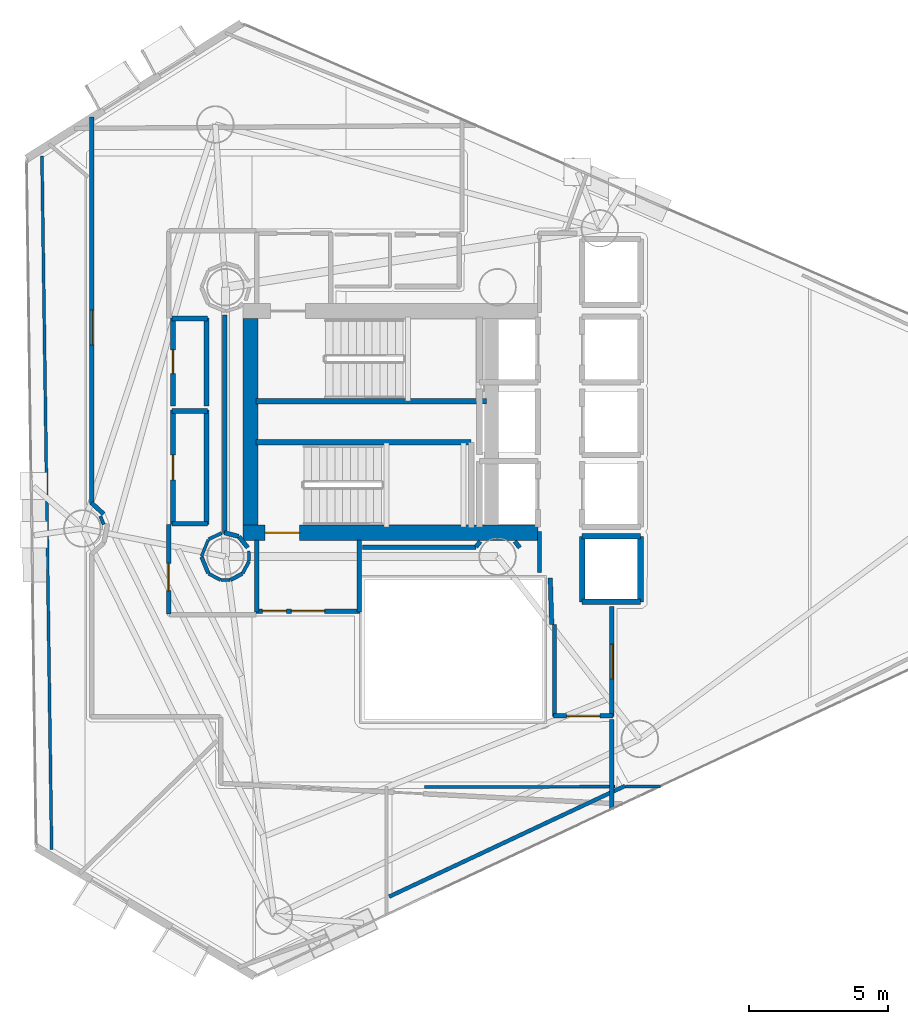
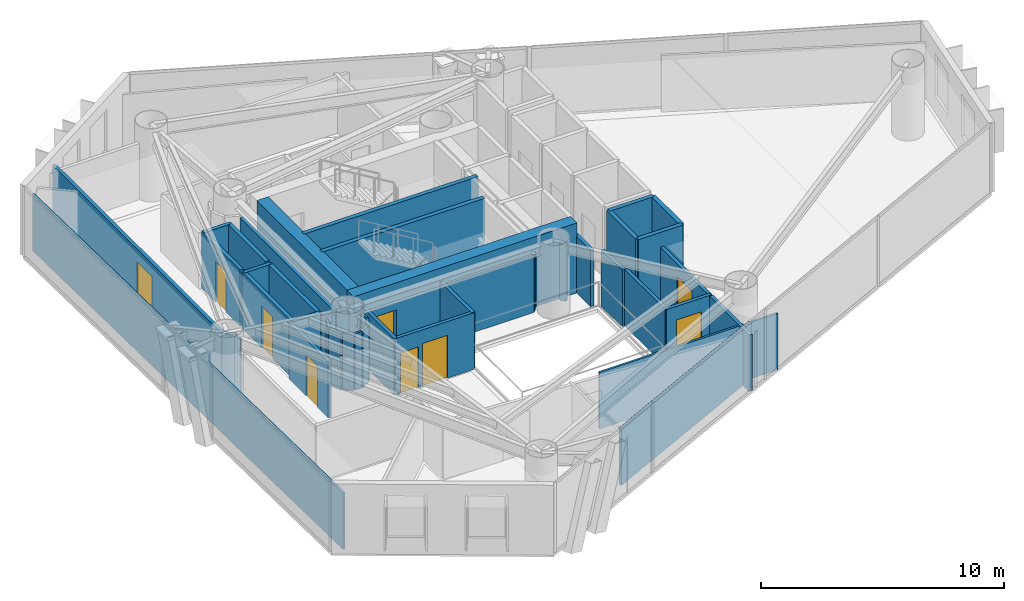
# One storey, part 16 of 20: 46 walls, 9 doors, 9 openings.
"""IFC4 building model written with IfcOpenShell, lengths in metres."""

from ifc_helpers import new_model, si_unit, direction, frame, frame_2d, origin, place, context, subcontext, project, spatial, rectangle, extrude, material, layer, layer_set, type_object, element, fill, save


model = new_model("IFC4")

# Units and contexts
model_context = context("Model", 3, precision=1e-05, world=origin(), true_north=direction((0.0, 1.0)))
body_context = subcontext(model_context, "Body", "Model", "MODEL_VIEW")
ifc_project = project(units=[si_unit("LENGTHUNIT", "METRE"), si_unit("AREAUNIT", "SQUARE_METRE"), si_unit("VOLUMEUNIT", "CUBIC_METRE"), si_unit("PLANEANGLEUNIT", "RADIAN"), si_unit("MASSUNIT", "GRAM", prefix="KILO")], contexts=[model_context])

# Site, building, storey
site_placement = place(None, origin())
site = spatial("IfcSite", under=ifc_project, at=site_placement, CompositionType="ELEMENT")
building_placement = place(site_placement, origin())
building = spatial("IfcBuilding", under=site, at=building_placement, Name="Qianvela Tower", CompositionType="ELEMENT")
storey_placement = place(building_placement, frame((0.0, 0.0, 151.300048828125)))
storey = spatial("IfcBuildingStorey", under=building, at=storey_placement, Name="L38", CompositionType="ELEMENT", Elevation=151.300048828125)

# Wall, opening, door
ifc_material_1 = material(Name="Concrete C60", Category="concrete")
ifc_layer_1 = layer(ifc_material_1, 0.550048828125)
ifc_layer_set_1 = layer_set([ifc_layer_1], Name="Concrete C60")
wall_type_1 = type_object("IfcWallType", Name="WT-CORE-550", PredefinedType="SHEAR", material=ifc_layer_set_1)
wall_1_placement = place(storey_placement, frame((29.22998046875, 24.705078125, 0.0), z_axis=(0.0, 0.0, 1.0), x_axis=(1.0, 0.0, 0.0)))
wall_1 = element("IfcWall", 1, at=wall_1_placement, inside=storey, type_object=wall_type_1, Name="L38 South Core Shear Wall", PredefinedType="SHEAR", context=body_context, shape_type="SweptSolid", body=[
    extrude(rectangle(XDim=10.6201171875, YDim=0.550048828125, at=frame_2d((5.31005859375, 0.0))), origin(), (0.0, 0.0, 1.0), 3.52001953125),
])
opening_1_placement = place(wall_1_placement, frame((0.794921875, 0.0, 0.0)))
opening_1 = element("IfcOpeningElement", 2, at=opening_1_placement, cuts=wall_1, Name="Opening D-ST1", PredefinedType="OPENING", context=body_context, shape_type="SweptSolid", body=[
    extrude(rectangle(XDim=1.25, YDim=2.14990234375, at=frame_2d((0.625, 1.074951171875))), frame((0.0, 0.284912109375, 0.0), z_axis=(0.0, -1.0, 0.0), x_axis=(1.0, 0.0, 0.0)), (0.0, 0.0, 1.0), 0.570068359375),
])
ifc_material_2 = material(Name="Galvanised Fire Steel Q355B", Category="steel")
door_type_1 = type_object("IfcDoorType", Name="DT-STAIR-FD90", OperationType="NOTDEFINED", PredefinedType="DOOR", material=ifc_material_2)
door_1_placement = place(opening_1_placement, origin())
door_1 = element("IfcDoor", 3, at=door_1_placement, inside=storey, type_object=door_type_1, Name="L38 Stair ST-2 Exit Door", OperationType="SINGLE_SWING_RIGHT", OverallHeight=2.14990234375, OverallWidth=1.25, PredefinedType="DOOR", context=body_context, shape_type="SweptSolid", body=[
    extrude(rectangle(XDim=1.25, YDim=2.14990234375, at=frame_2d((0.625, 1.074951171875))), frame((0.0, 0.02490234375, 0.0), z_axis=(0.0, -1.0, 0.0), x_axis=(1.0, 0.0, 0.0)), (0.0, 0.0, 1.0), 0.050048828125),
])
fill(opening_1, door_1)

# Wall
wall_2_placement = place(storey_placement, frame((29.5048828125, 24.97998046875, 0.0), z_axis=(0.0, 0.0, 1.0), x_axis=(0.0, 1.0, 0.0)))
element("IfcWall", 4, at=wall_2_placement, inside=storey, type_object=wall_type_1, Name="L38 West Core Shear Wall", PredefinedType="SHEAR", context=body_context, shape_type="SweptSolid", body=[
    extrude(rectangle(XDim=7.43994140625, YDim=0.550048828125, at=frame_2d((3.719970703125, 0.0))), origin(), (0.0, 0.0, 1.0), 3.52001953125),
])

# Wall, openings, doors
ifc_material_3 = material(Name="Fire-Rated Gypsum and Concrete Block", Category="concrete")
ifc_layer_2 = layer(ifc_material_3, 0.159912109375)
ifc_layer_set_2 = layer_set([ifc_layer_2], Name="Fire-Rated Gypsum and Concrete Block")
wall_type_2 = type_object("IfcWallType", Name="WT-CORR-160", PredefinedType="PARTITIONING", material=ifc_layer_set_2)
wall_3_placement = place(storey_placement, frame((33.449951171875, 21.881103515625, 0.0), z_axis=(0.0, 0.0, 1.0), x_axis=(-1.0, 0.0, 0.0)))
wall_3 = element("IfcWall", 5, at=wall_3_placement, inside=storey, type_object=wall_type_2, Name="L38 Partition 5", PredefinedType="PARTITIONING", context=body_context, shape_type="SweptSolid", body=[
    extrude(rectangle(XDim=3.75, YDim=0.159912109375, at=frame_2d((1.875, 0.0))), origin(), (0.0, 0.0, 1.0), 2.83984375),
])
opening_2_placement = place(wall_3_placement, frame((1.27490234375, 0.0, 0.0)))
opening_2 = element("IfcOpeningElement", 6, at=opening_2_placement, cuts=wall_3, Name="Opening D-LB1", PredefinedType="OPENING", context=body_context, shape_type="SweptSolid", body=[
    extrude(rectangle(XDim=1.199951171875, YDim=2.14990234375, at=frame_2d((0.60009765625, 1.074951171875))), frame((0.0, 0.08984375, 0.0), z_axis=(0.0, -1.0, 0.0), x_axis=(1.0, 0.0, 0.0)), (0.0, 0.0, 1.0), 0.179931640625),
])
opening_3_placement = place(wall_3_placement, frame((2.659912109375, 0.0, 0.0)))
opening_3 = element("IfcOpeningElement", 7, at=opening_3_placement, cuts=wall_3, Name="Opening D-LB2", PredefinedType="OPENING", context=body_context, shape_type="SweptSolid", body=[
    extrude(rectangle(XDim=0.860107421875, YDim=2.050048828125, at=frame_2d((0.43017578125, 1.02490234375))), frame((0.0, 0.08984375, 0.0), z_axis=(0.0, -1.0, 0.0), x_axis=(1.0, 0.0, 0.0)), (0.0, 0.0, 1.0), 0.179931640625),
])
ifc_material_4 = material(Name="Glazed Fire-Rated Steel Frame", Category="steel")
door_type_2 = type_object("IfcDoorType", Name="DT-LOBBY-FD90", OperationType="NOTDEFINED", PredefinedType="DOOR", material=ifc_material_4)
door_2_placement = place(opening_2_placement, origin())
door_2 = element("IfcDoor", 8, at=door_2_placement, inside=storey, type_object=door_type_2, Name="L38 Door L38 Firefighting Lobby South to L38 Floor Corridor", OperationType="SINGLE_SWING_LEFT", OverallHeight=2.14990234375, OverallWidth=1.199951171875, PredefinedType="DOOR", context=body_context, shape_type="SweptSolid", body=[
    extrude(rectangle(XDim=1.199951171875, YDim=2.14990234375, at=frame_2d((0.60009765625, 1.074951171875))), frame((0.0, 0.02490234375, 0.0), z_axis=(0.0, -1.0, 0.0), x_axis=(1.0, 0.0, 0.0)), (0.0, 0.0, 1.0), 0.050048828125),
])
fill(opening_2, door_2)
ifc_material_5 = material(Name="Insulated Steel Fire Door Q355B", Category="steel")
door_type_3 = type_object("IfcDoorType", Name="DT-LOBBY-FD90-860", OperationType="NOTDEFINED", PredefinedType="DOOR", material=ifc_material_5)
door_3_placement = place(opening_3_placement, origin())
door_3 = element("IfcDoor", 9, at=door_3_placement, inside=storey, type_object=door_type_3, Name="L38 Door L38 Firefighting Lobby South to L38 Floor Corridor", OperationType="SINGLE_SWING_RIGHT", OverallHeight=2.050048828125, OverallWidth=0.860107421875, PredefinedType="DOOR", context=body_context, shape_type="SweptSolid", body=[
    extrude(rectangle(XDim=0.860107421875, YDim=2.050048828125, at=frame_2d((0.43017578125, 1.02490234375))), frame((0.0, 0.02490234375, 0.0), z_axis=(0.0, -1.0, 0.0), x_axis=(1.0, 0.0, 0.0)), (0.0, 0.0, 1.0), 0.050048828125),
])
fill(opening_3, door_3)

# Walls
for number, where, z_axis, x_axis, name in (
    (10, (29.73095703125, 21.85009765625, 0.0), (0.0, 0.0, 1.0), (0.0, 1.0, 0.0), "L38 Partition 6"),
    (11, (33.4189453125, 24.44189453125, 0.0), (0.0, 0.0, 1.0), (0.0, -1.0, 0.0), "L38 Partition 8"),
):
    element("IfcWall", number, at=place(storey_placement, frame(where, z_axis=z_axis, x_axis=x_axis)), inside=storey, type_object=wall_type_2, Name=name, PredefinedType="PARTITIONING", context=body_context, shape_type="SweptSolid", body=[
        extrude(rectangle(XDim=2.591796875, YDim=0.159912109375, at=frame_2d((1.2958984375, 0.0))), origin(), (0.0, 0.0, 1.0), 2.83984375),
    ])
wall_4_placement = place(storey_placement, frame((40.35107421875, 21.40087890625, 0.0), z_axis=(0.0, 0.0, 1.0), x_axis=(-0.031058045979, 0.999517582527, 0.0)))
element("IfcWall", 12, at=wall_4_placement, inside=storey, type_object=wall_type_2, Name="L38 Partition 9", PredefinedType="PARTITIONING", context=body_context, shape_type="SweptSolid", body=[
    extrude(rectangle(XDim=1.68212890625, YDim=0.159912109375, at=frame_2d((0.841064453125, 0.0))), origin(), (0.0, 0.0, 1.0), 2.83984375),
])
wall_5_placement = place(storey_placement, frame((39.910888671875, 23.280029296875, 0.0), z_axis=(0.0, 0.0, 1.0), x_axis=(0.0, 1.0, 0.0)))
element("IfcWall", 13, at=wall_5_placement, inside=storey, type_object=wall_type_2, Name="L38 Partition 10", PredefinedType="PARTITIONING", context=body_context, shape_type="SweptSolid", body=[
    extrude(rectangle(XDim=1.47998046875, YDim=0.159912109375, at=frame_2d((0.739990234375, 0.0))), origin(), (0.0, 0.0, 1.0), 2.83984375),
])

# Wall, opening, door
wall_6_placement = place(storey_placement, frame((42.51904296875, 22.050048828125, 0.0), z_axis=(0.0, 0.0, 1.0), x_axis=(0.0, -1.0, 0.0)))
wall_6 = element("IfcWall", 14, at=wall_6_placement, inside=storey, type_object=wall_type_2, Name="L38 Partition 17", PredefinedType="PARTITIONING", context=body_context, shape_type="SweptSolid", body=[
    extrude(rectangle(XDim=3.969970703125, YDim=0.159912109375, at=frame_2d((1.98486328125, 0.0))), origin(), (0.0, 0.0, 1.0), 2.83984375),
])
opening_4_placement = place(wall_6_placement, frame((1.360107421875, 0.0, 0.0)))
opening_4 = element("IfcOpeningElement", 15, at=opening_4_placement, cuts=wall_6, Name="Opening D-LG1", PredefinedType="OPENING", context=body_context, shape_type="SweptSolid", body=[
    extrude(rectangle(XDim=1.25, YDim=2.199951171875, at=frame_2d((0.625, 1.10009765625))), frame((0.0, 0.08984375, 0.0), z_axis=(0.0, -1.0, 0.0), x_axis=(1.0, 0.0, 0.0)), (0.0, 0.0, 1.0), 0.179931640625),
])
ifc_material_6 = material(Name="Anodised Aluminium Acoustic Glass Door", Category="aluminium")
door_type_4 = type_object("IfcDoorType", Name="DT-LOUNGE-1250", OperationType="NOTDEFINED", PredefinedType="DOOR", material=ifc_material_6)
door_4_placement = place(opening_4_placement, origin())
door_4 = element("IfcDoor", 16, at=door_4_placement, inside=storey, type_object=door_type_4, Name="L38 Door Student Bookshop Market L38-04 to L38 Lift Lobby", OperationType="SINGLE_SWING_LEFT", OverallHeight=2.199951171875, OverallWidth=1.25, PredefinedType="DOOR", context=body_context, shape_type="SweptSolid", body=[
    extrude(rectangle(XDim=1.25, YDim=2.199951171875, at=frame_2d((0.625, 1.10009765625))), frame((0.0, 0.02490234375, 0.0), z_axis=(0.0, -1.0, 0.0), x_axis=(1.0, 0.0, 0.0)), (0.0, 0.0, 1.0), 0.050048828125),
])
fill(opening_4, door_4)

wall_7_placement = place(storey_placement, frame((42.550048828125, 18.111083984375, 0.0), z_axis=(0.0, 0.0, 1.0), x_axis=(-1.0, 0.0, 0.0)))
wall_7 = element("IfcWall", 17, at=wall_7_placement, inside=storey, type_object=wall_type_2, Name="L38 Partition 18", PredefinedType="PARTITIONING", context=body_context, shape_type="SweptSolid", body=[
    extrude(rectangle(XDim=2.130126953125, YDim=0.159912109375, at=frame_2d((1.06494140625, 0.0))), origin(), (0.0, 0.0, 1.0), 2.83984375),
])
opening_5_placement = place(wall_7_placement, frame((0.465087890625, 0.0, 0.0)))
opening_5 = element("IfcOpeningElement", 18, at=opening_5_placement, cuts=wall_7, Name="Opening D-LB1", PredefinedType="OPENING", context=body_context, shape_type="SweptSolid", body=[
    extrude(rectangle(XDim=1.199951171875, YDim=2.14990234375, at=frame_2d((0.60009765625, 1.074951171875))), frame((0.0, 0.08984375, 0.0), z_axis=(0.0, -1.0, 0.0), x_axis=(1.0, 0.0, 0.0)), (0.0, 0.0, 1.0), 0.179931640625),
])
door_5_placement = place(opening_5_placement, origin())
door_5 = element("IfcDoor", 19, at=door_5_placement, inside=storey, type_object=door_type_2, Name="L38 Door L38 Lift Lobby to L38 Floor Corridor", OperationType="SINGLE_SWING_RIGHT", OverallHeight=2.14990234375, OverallWidth=1.199951171875, PredefinedType="DOOR", context=body_context, shape_type="SweptSolid", body=[
    extrude(rectangle(XDim=1.199951171875, YDim=2.14990234375, at=frame_2d((0.60009765625, 1.074951171875))), frame((0.0, 0.02490234375, 0.0), z_axis=(0.0, -1.0, 0.0), x_axis=(1.0, 0.0, 0.0)), (0.0, 0.0, 1.0), 0.050048828125),
])
fill(opening_5, door_5)

# Walls
wall_8_placement = place(storey_placement, frame((40.450927734375, 18.080078125, 0.0), z_axis=(0.0, 0.0, 1.0), x_axis=(0.0, 1.0, 0.0)))
element("IfcWall", 20, at=wall_8_placement, inside=storey, type_object=wall_type_2, Name="L38 Partition 19 seg 1", PredefinedType="PARTITIONING", context=body_context, shape_type="SweptSolid", body=[
    extrude(rectangle(XDim=3.31982421875, YDim=0.159912109375, at=frame_2d((1.659912109375, 0.0))), origin(), (0.0, 0.0, 1.0), 2.83984375),
])
wall_9_placement = place(storey_placement, frame((29.401611328125, 24.169189453125, 0.0), z_axis=(0.0, 0.0, 1.0), x_axis=(-0.622091855036, 0.782944266151, 0.0)))
element("IfcWall", 21, at=wall_9_placement, inside=storey, type_object=wall_type_2, Name="L38 Partition 40", PredefinedType="PARTITIONING", context=body_context, shape_type="SweptSolid", body=[
    extrude(rectangle(XDim=0.50390625, YDim=0.159912109375, at=frame_2d((0.251953125, 0.0))), origin(), (0.0, 0.0, 1.0), 2.83984375),
])
wall_10_placement = place(storey_placement, frame((29.07177734375, 24.57421875, 0.0), z_axis=(0.0, 0.0, 1.0), x_axis=(-0.966842101769, 0.255374920942, 0.0)))
element("IfcWall", 22, at=wall_10_placement, inside=storey, type_object=wall_type_2, Name="L38 Partition 41", PredefinedType="PARTITIONING", context=body_context, shape_type="SweptSolid", body=[
    extrude(rectangle(XDim=0.531494140625, YDim=0.159912109375, at=frame_2d((0.265625, 0.0))), origin(), (0.0, 0.0, 1.0), 2.83984375),
])
wall_11_placement = place(storey_placement, frame((28.5810546875, 24.68017578125, 0.0), z_axis=(0.0, 0.0, 1.0), x_axis=(0.0, 1.0, 0.0)))
element("IfcWall", 23, at=wall_11_placement, inside=storey, type_object=wall_type_2, Name="L38 Partition 42", PredefinedType="PARTITIONING", context=body_context, shape_type="SweptSolid", body=[
    extrude(rectangle(XDim=7.869873046875, YDim=0.159912109375, at=frame_2d((3.93505859375, 0.0))), origin(), (0.0, 0.0, 1.0), 2.83984375),
])
wall_12_placement = place(storey_placement, frame((39.20166015625, 24.169189453125, 0.0), z_axis=(0.0, 0.0, 1.0), x_axis=(-0.621699046284, 0.783256213413, 0.0)))
element("IfcWall", 24, at=wall_12_placement, inside=storey, type_object=wall_type_2, Name="L38 Partition 47", PredefinedType="PARTITIONING", context=body_context, shape_type="SweptSolid", body=[
    extrude(rectangle(XDim=0.28857421875, YDim=0.159912109375, at=frame_2d((0.144287109375, 0.0))), origin(), (0.0, 0.0, 1.0), 2.83984375),
])
wall_13_placement = place(storey_placement, frame((37.77783203125, 24.395263671875, 0.0), z_axis=(0.0, 0.0, 1.0), x_axis=(-0.621829236437, -0.783152859097, 0.0)))
element("IfcWall", 25, at=wall_13_placement, inside=storey, type_object=wall_type_2, Name="L38 Partition 50", PredefinedType="PARTITIONING", context=body_context, shape_type="SweptSolid", body=[
    extrude(rectangle(XDim=0.249755859375, YDim=0.159912109375, at=frame_2d((0.125, 0.0))), origin(), (0.0, 0.0, 1.0), 2.83984375),
])
wall_14_placement = place(storey_placement, frame((37.62255859375, 24.180908203125, 0.0), z_axis=(0.0, 0.0, 1.0), x_axis=(-1.0, 0.0, 0.0)))
element("IfcWall", 26, at=wall_14_placement, inside=storey, type_object=wall_type_2, Name="L38 Partition 51", PredefinedType="PARTITIONING", context=body_context, shape_type="SweptSolid", body=[
    extrude(rectangle(XDim=4.092529296875, YDim=0.159912109375, at=frame_2d((2.04638671875, 0.0))), origin(), (0.0, 0.0, 1.0), 2.83984375),
])
wall_15_placement = place(storey_placement, frame((24.211181640625, 25.37890625, 0.0), z_axis=(0.0, 0.0, 1.0), x_axis=(-0.735475561179, 0.677551251868, 0.0)))
element("IfcWall", 27, at=wall_15_placement, inside=storey, type_object=wall_type_2, Name="L38 Partition 52", PredefinedType="PARTITIONING", context=body_context, shape_type="SweptSolid", body=[
    extrude(rectangle(XDim=0.598388671875, YDim=0.159912109375, at=frame_2d((0.29931640625, 0.0))), origin(), (0.0, 0.0, 1.0), 2.83984375),
])

# Wall, opening, door
wall_16_placement = place(storey_placement, frame((23.781005859375, 25.76171875, 0.0), z_axis=(0.0, 0.0, 1.0), x_axis=(0.0, 1.0, 0.0)))
wall_16 = element("IfcWall", 28, at=wall_16_placement, inside=storey, type_object=wall_type_2, Name="L38 Partition 53", PredefinedType="PARTITIONING", context=body_context, shape_type="SweptSolid", body=[
    extrude(rectangle(XDim=13.920166015625, YDim=0.159912109375, at=frame_2d((6.9599609375, 0.0))), origin(), (0.0, 0.0, 1.0), 2.83984375),
])
opening_6_placement = place(wall_16_placement, frame((5.712158203125, 0.0, 0.0)))
opening_6 = element("IfcOpeningElement", 29, at=opening_6_placement, cuts=wall_16, Name="Opening D-LG1", PredefinedType="OPENING", context=body_context, shape_type="SweptSolid", body=[
    extrude(rectangle(XDim=1.25, YDim=2.199951171875, at=frame_2d((0.625, 1.10009765625))), frame((0.0, 0.08984375, 0.0), z_axis=(0.0, -1.0, 0.0), x_axis=(1.0, 0.0, 0.0)), (0.0, 0.0, 1.0), 0.179931640625),
])
door_6_placement = place(opening_6_placement, origin())
door_6 = element("IfcDoor", 30, at=door_6_placement, inside=storey, type_object=door_type_4, Name="L38 Door Panoramic Study Lounge L38-01 to L38 Floor Corridor", OperationType="SINGLE_SWING_LEFT", OverallHeight=2.199951171875, OverallWidth=1.25, PredefinedType="DOOR", context=body_context, shape_type="SweptSolid", body=[
    extrude(rectangle(XDim=1.25, YDim=2.199951171875, at=frame_2d((0.625, 1.10009765625))), frame((0.0, 0.02490234375, 0.0), z_axis=(0.0, -1.0, 0.0), x_axis=(1.0, 0.0, 0.0)), (0.0, 0.0, 1.0), 0.050048828125),
])
fill(opening_6, door_6)

wall_17_placement = place(storey_placement, frame((26.549072265625, 25.0, 0.0), z_axis=(0.0, 0.0, 1.0), x_axis=(0.0, -1.0, 0.0)))
wall_17 = element("IfcWall", 31, at=wall_17_placement, inside=storey, type_object=wall_type_2, Name="L38 Partition 57 seg 3", PredefinedType="PARTITIONING", context=body_context, shape_type="SweptSolid", body=[
    extrude(rectangle(XDim=3.219970703125, YDim=0.159912109375, at=frame_2d((1.60986328125, 0.0))), origin(), (0.0, 0.0, 1.0), 2.83984375),
])
opening_7_placement = place(wall_17_placement, frame((1.39990234375, 0.0, 0.0)))
opening_7 = element("IfcOpeningElement", 32, at=opening_7_placement, cuts=wall_17, Name="Opening D-RM1", PredefinedType="OPENING", context=body_context, shape_type="SweptSolid", body=[
    extrude(rectangle(XDim=0.97998046875, YDim=2.10009765625, at=frame_2d((0.489990234375, 1.050048828125))), frame((0.0, 0.08984375, 0.0), z_axis=(0.0, -1.0, 0.0), x_axis=(1.0, 0.0, 0.0)), (0.0, 0.0, 1.0), 0.179931640625),
])
ifc_material_7 = material(Name="Solid Core Acoustic Timber Fire Door", Category="wood")
door_type_5 = type_object("IfcDoorType", Name="DT-ROOM-FD60", OperationType="NOTDEFINED", PredefinedType="DOOR", material=ifc_material_7)
door_7_placement = place(opening_7_placement, origin())
door_7 = element("IfcDoor", 33, at=door_7_placement, inside=storey, type_object=door_type_5, Name="L38 Door Campus Wellness Pharmacy L38-06 to L38 Floor Corridor", OperationType="SINGLE_SWING_LEFT", OverallHeight=2.10009765625, OverallWidth=0.97998046875, PredefinedType="DOOR", context=body_context, shape_type="SweptSolid", body=[
    extrude(rectangle(XDim=0.97998046875, YDim=2.10009765625, at=frame_2d((0.489990234375, 1.050048828125))), frame((0.0, 0.02490234375, 0.0), z_axis=(0.0, -1.0, 0.0), x_axis=(1.0, 0.0, 0.0)), (0.0, 0.0, 1.0), 0.050048828125),
])
fill(opening_7, door_7)

# Walls
wall_18_placement = place(storey_placement, frame((42.51904296875, 17.97998046875, 0.0), z_axis=(0.0, 0.0, 1.0), x_axis=(0.0, -1.0, 0.0)))
element("IfcWall", 34, at=wall_18_placement, inside=storey, type_object=wall_type_2, Name="L38 Partition 60 seg 1", PredefinedType="PARTITIONING", context=body_context, shape_type="SweptSolid", body=[
    extrude(rectangle(XDim=3.24267578125, YDim=0.159912109375, at=frame_2d((1.621337890625, 0.0))), origin(), (0.0, 0.0, 1.0), 2.83984375),
])
ifc_material_8 = material(Name="Lightweight Gypsum Room Partition")
ifc_layer_3 = layer(ifc_material_8, 0.10498046875)
ifc_layer_set_3 = layer_set([ifc_layer_3], Name="Lightweight Gypsum Room Partition")
wall_type_3 = type_object("IfcWallType", Name="WT-PART-105", PredefinedType="PARTITIONING", material=ifc_layer_set_3)
wall_19_placement = place(storey_placement, frame((22.337646484375, 13.293212890625, 0.0), z_axis=(0.0, 0.0, 1.0), x_axis=(-0.013961898695, 0.999902527942, 0.0)))
element("IfcWall", 35, at=wall_19_placement, inside=storey, type_object=wall_type_3, Name="L38 Partition 77", PredefinedType="PARTITIONING", context=body_context, shape_type="SweptSolid", body=[
    extrude(rectangle(XDim=24.98779296875, YDim=0.10498046875, at=frame_2d((12.493896484375, 0.0))), origin(), (0.0, 0.0, 1.0), 2.83984375),
])
wall_20_placement = place(storey_placement, frame((35.76806640625, 15.542724609375, 0.0), z_axis=(0.0, 0.0, 1.0), x_axis=(0.999995856362, 0.002878759795, 0.0)))
element("IfcWall", 36, at=wall_20_placement, inside=storey, type_object=wall_type_3, Name="L38 Partition 86 seg 1", PredefinedType="PARTITIONING", context=body_context, shape_type="SweptSolid", body=[
    extrude(rectangle(XDim=6.869384765625, YDim=0.10498046875, at=frame_2d((3.4345703125, 0.0))), origin(), (0.0, 0.0, 1.0), 2.83984375),
])
wall_21_placement = place(storey_placement, frame((27.98095703125, 24.452392578125, 0.0), z_axis=(0.0, 0.0, 1.0), x_axis=(-0.38268910224, -0.923877183952, 0.0)))
element("IfcWall", 37, at=wall_21_placement, inside=storey, type_object=wall_type_3, Name="L38 Partition 131", PredefinedType="PARTITIONING", context=body_context, shape_type="SweptSolid", body=[
    extrude(rectangle(XDim=0.63916015625, YDim=0.10498046875, at=frame_2d((0.319580078125, 0.0))), origin(), (0.0, 0.0, 1.0), 2.83984375),
])
wall_22_placement = place(storey_placement, frame((28.43701171875, 23.0, 0.0), z_axis=(0.0, 0.0, 1.0), x_axis=(1.0, 0.0, 0.0)))
element("IfcWall", 38, at=wall_22_placement, inside=storey, type_object=wall_type_3, Name="L38 Partition 134", PredefinedType="PARTITIONING", context=body_context, shape_type="SweptSolid", body=[
    extrude(rectangle(XDim=0.325927734375, YDim=0.10498046875, at=frame_2d((0.1630859375, 0.0))), origin(), (0.0, 0.0, 1.0), 2.83984375),
])
wall_23_placement = place(storey_placement, frame((29.449951171875, 23.68798828125, 0.0), z_axis=(0.0, 0.0, 1.0), x_axis=(-0.030919976938, 0.999521863206, 0.0)))
element("IfcWall", 39, at=wall_23_placement, inside=storey, type_object=wall_type_3, Name="L38 Partition 137", PredefinedType="PARTITIONING", context=body_context, shape_type="SweptSolid", body=[
    extrude(rectangle(XDim=0.36328125, YDim=0.10498046875, at=frame_2d((0.181640625, 0.0))), origin(), (0.0, 0.0, 1.0), 2.83984375),
])
wall_24_placement = place(storey_placement, frame((43.001708984375, 15.5634765625, 0.0), z_axis=(0.0, 0.0, 1.0), x_axis=(0.99999578947, 0.002901903045, 0.0)))
element("IfcWall", 40, at=wall_24_placement, inside=storey, type_object=wall_type_3, Name="L38 Partition 86 seg 1 trim 1", PredefinedType="PARTITIONING", context=body_context, shape_type="SweptSolid", body=[
    extrude(rectangle(XDim=1.261962890625, YDim=0.10498046875, at=frame_2d((0.630859375, 0.0))), origin(), (0.0, 0.0, 1.0), 2.83984375),
])
ifc_material_9 = material(Name="Insulated Gypsum Stud Partition")
ifc_layer_4 = layer(ifc_material_9, 0.1201171875)
ifc_layer_set_4 = layer_set([ifc_layer_4], Name="Insulated Gypsum Stud Partition")
wall_type_4 = type_object("IfcWallType", Name="WT-PART-120", PredefinedType="PARTITIONING", material=ifc_layer_set_4)
wall_25_placement = place(storey_placement, frame((24.09228515625, 25.302734375, 0.0), z_axis=(0.0, 0.0, 1.0), x_axis=(0.38223992348, -0.924063115213, 0.0)))
element("IfcWall", 41, at=wall_25_placement, inside=storey, type_object=wall_type_4, Name="L38 Partition 70", PredefinedType="PARTITIONING", context=body_context, shape_type="SweptSolid", body=[
    extrude(rectangle(XDim=0.3212890625, YDim=0.1201171875, at=frame_2d((0.16064453125, 0.0))), origin(), (0.0, 0.0, 1.0), 2.83984375),
])
wall_26_placement = place(storey_placement, frame((28.46630859375, 24.700927734375, 0.0), z_axis=(0.0, 0.0, 1.0), x_axis=(-0.896372347763, -0.44330194469, 0.0)))
element("IfcWall", 42, at=wall_26_placement, inside=storey, type_object=wall_type_4, Name="L38 Partition 130", PredefinedType="PARTITIONING", context=body_context, shape_type="SweptSolid", body=[
    extrude(rectangle(XDim=0.52490234375, YDim=0.1201171875, at=frame_2d((0.262451171875, 0.0))), origin(), (0.0, 0.0, 1.0), 2.83984375),
])
for number, where, z_axis, x_axis, name in (
    (43, (27.9951171875, 23.232177734375, 0.0), (0.0, 0.0, 1.0), (0.88190639713, -0.471424550379, 0.0), "L38 Partition 133"),
    (44, (29.2177734375, 23.2451171875, 0.0), (0.0, 0.0, 1.0), (0.471424550379, 0.88190639713, 0.0), "L38 Partition 136"),
):
    element("IfcWall", number, at=place(storey_placement, frame(where, z_axis=z_axis, x_axis=x_axis)), inside=storey, type_object=wall_type_4, Name=name, PredefinedType="PARTITIONING", context=body_context, shape_type="SweptSolid", body=[
        extrude(rectangle(XDim=0.484619140625, YDim=0.1201171875, at=frame_2d((0.2421875, 0.0))), origin(), (0.0, 0.0, 1.0), 2.83984375),
    ])

# Wall, opening, door
ifc_material_10 = material(Name="Moisture-Resistant Acoustic Plumbing Wall")
ifc_layer_5 = layer(ifc_material_10, 0.175048828125)
ifc_layer_set_5 = layer_set([ifc_layer_5], Name="Moisture-Resistant Acoustic Plumbing Wall")
wall_type_5 = type_object("IfcWallType", Name="WT-PLUMB-175", PredefinedType="PLUMBINGWALL", material=ifc_layer_set_5)
wall_27_placement = place(storey_placement, frame((26.7109375, 25.0, 0.0), z_axis=(0.0, 0.0, 1.0), x_axis=(0.0, 1.0, 0.0)))
wall_27 = element("IfcWall", 45, at=wall_27_placement, inside=storey, type_object=wall_type_5, Name="L38 Partition 28", PredefinedType="PLUMBINGWALL", context=body_context, shape_type="SweptSolid", body=[
    extrude(rectangle(XDim=4.1201171875, YDim=0.175048828125, at=frame_2d((2.06005859375, 0.0))), origin(), (0.0, 0.0, 1.0), 2.83984375),
])
opening_8_placement = place(wall_27_placement, frame((1.610107421875, 0.0, 0.0)))
opening_8 = element("IfcOpeningElement", 46, at=opening_8_placement, cuts=wall_27, Name="Opening D-KT1", PredefinedType="OPENING", context=body_context, shape_type="SweptSolid", body=[
    extrude(rectangle(XDim=0.89990234375, YDim=2.10009765625, at=frame_2d((0.449951171875, 1.050048828125))), frame((0.0, 0.097412109375, 0.0), z_axis=(0.0, -1.0, 0.0), x_axis=(1.0, 0.0, 0.0)), (0.0, 0.0, 1.0), 0.195068359375),
])
ifc_material_11 = material(Name="Glazed Timber Kitchen Door", Category="wood")
door_type_6 = type_object("IfcDoorType", Name="DT-KITCH-900", OperationType="NOTDEFINED", PredefinedType="DOOR", material=ifc_material_11)
door_8_placement = place(opening_8_placement, origin())
door_8 = element("IfcDoor", 47, at=door_8_placement, inside=storey, type_object=door_type_6, Name="L38 Door L38 Core Tea Pantry West to L38 Floor Corridor", OperationType="SINGLE_SWING_LEFT", OverallHeight=2.10009765625, OverallWidth=0.89990234375, PredefinedType="DOOR", context=body_context, shape_type="SweptSolid", body=[
    extrude(rectangle(XDim=0.89990234375, YDim=2.10009765625, at=frame_2d((0.449951171875, 1.050048828125))), frame((0.0, 0.02490234375, 0.0), z_axis=(0.0, -1.0, 0.0), x_axis=(1.0, 0.0, 0.0)), (0.0, 0.0, 1.0), 0.050048828125),
])
fill(opening_8, door_8)

# Walls
wall_28_placement = place(storey_placement, frame((26.679931640625, 29.089111328125, 0.0), z_axis=(0.0, 0.0, 1.0), x_axis=(1.0, 0.0, 0.0)))
element("IfcWall", 48, at=wall_28_placement, inside=storey, type_object=wall_type_5, Name="L38 Partition 29", PredefinedType="PLUMBINGWALL", context=body_context, shape_type="SweptSolid", body=[
    extrude(rectangle(XDim=1.27001953125, YDim=0.175048828125, at=frame_2d((0.635009765625, 0.0))), origin(), (0.0, 0.0, 1.0), 2.83984375),
])
wall_29_placement = place(storey_placement, frame((27.9189453125, 29.1201171875, 0.0), z_axis=(0.0, 0.0, 1.0), x_axis=(0.0, -1.0, 0.0)))
element("IfcWall", 49, at=wall_29_placement, inside=storey, type_object=wall_type_5, Name="L38 Partition 30", PredefinedType="PLUMBINGWALL", context=body_context, shape_type="SweptSolid", body=[
    extrude(rectangle(XDim=4.1201171875, YDim=0.175048828125, at=frame_2d((2.06005859375, 0.0))), origin(), (0.0, 0.0, 1.0), 2.83984375),
])
wall_30_placement = place(storey_placement, frame((27.949951171875, 25.031005859375, 0.0), z_axis=(0.0, 0.0, 1.0), x_axis=(-1.0, 0.0, 0.0)))
element("IfcWall", 50, at=wall_30_placement, inside=storey, type_object=wall_type_5, Name="L38 Partition 31", PredefinedType="PLUMBINGWALL", context=body_context, shape_type="SweptSolid", body=[
    extrude(rectangle(XDim=1.27001953125, YDim=0.175048828125, at=frame_2d((0.635009765625, 0.0))), origin(), (0.0, 0.0, 1.0), 2.83984375),
])

# Wall, opening, door
wall_31_placement = place(storey_placement, frame((26.7109375, 29.280029296875, 0.0), z_axis=(0.0, 0.0, 1.0), x_axis=(0.0, 1.0, 0.0)))
wall_31 = element("IfcWall", 51, at=wall_31_placement, inside=storey, type_object=wall_type_5, Name="L38 Partition 32", PredefinedType="PLUMBINGWALL", context=body_context, shape_type="SweptSolid", body=[
    extrude(rectangle(XDim=3.169921875, YDim=0.175048828125, at=frame_2d((1.5849609375, 0.0))), origin(), (0.0, 0.0, 1.0), 2.83984375),
])
opening_9_placement = place(wall_31_placement, frame((1.155029296875, 0.0, 0.0)))
opening_9 = element("IfcOpeningElement", 52, at=opening_9_placement, cuts=wall_31, Name="Opening D-WC1", PredefinedType="OPENING", context=body_context, shape_type="SweptSolid", body=[
    extrude(rectangle(XDim=0.860107421875, YDim=2.050048828125, at=frame_2d((0.43017578125, 1.02490234375))), frame((0.0, 0.097412109375, 0.0), z_axis=(0.0, -1.0, 0.0), x_axis=(1.0, 0.0, 0.0)), (0.0, 0.0, 1.0), 0.195068359375),
])
ifc_material_12 = material(Name="Moisture-Sealed Acoustic Timber Door", Category="wood")
door_type_7 = type_object("IfcDoorType", Name="DT-WC-860", OperationType="NOTDEFINED", PredefinedType="DOOR", material=ifc_material_12)
door_9_placement = place(opening_9_placement, origin())
door_9 = element("IfcDoor", 53, at=door_9_placement, inside=storey, type_object=door_type_7, Name="L38 Door L38 Accessible WC to L38 Floor Corridor", OperationType="SINGLE_SWING_RIGHT", OverallHeight=2.050048828125, OverallWidth=0.860107421875, PredefinedType="DOOR", context=body_context, shape_type="SweptSolid", body=[
    extrude(rectangle(XDim=0.860107421875, YDim=2.050048828125, at=frame_2d((0.43017578125, 1.02490234375))), frame((0.0, 0.02490234375, 0.0), z_axis=(0.0, -1.0, 0.0), x_axis=(1.0, 0.0, 0.0)), (0.0, 0.0, 1.0), 0.050048828125),
])
fill(opening_9, door_9)

# Walls
wall_32_placement = place(storey_placement, frame((26.679931640625, 32.4189453125, 0.0), z_axis=(0.0, 0.0, 1.0), x_axis=(1.0, 0.0, 0.0)))
element("IfcWall", 54, at=wall_32_placement, inside=storey, type_object=wall_type_5, Name="L38 Partition 33", PredefinedType="PLUMBINGWALL", context=body_context, shape_type="SweptSolid", body=[
    extrude(rectangle(XDim=1.27001953125, YDim=0.175048828125, at=frame_2d((0.635009765625, 0.0))), origin(), (0.0, 0.0, 1.0), 2.83984375),
])
wall_33_placement = place(storey_placement, frame((27.9189453125, 32.449951171875, 0.0), z_axis=(0.0, 0.0, 1.0), x_axis=(0.0, -1.0, 0.0)))
element("IfcWall", 55, at=wall_33_placement, inside=storey, type_object=wall_type_5, Name="L38 Partition 34", PredefinedType="PLUMBINGWALL", context=body_context, shape_type="SweptSolid", body=[
    extrude(rectangle(XDim=3.169921875, YDim=0.175048828125, at=frame_2d((1.5849609375, 0.0))), origin(), (0.0, 0.0, 1.0), 2.83984375),
])
ifc_material_13 = material(Name="Acoustic Double Gypsum Stud Partition")
ifc_layer_6 = layer(ifc_material_13, 0.139892578125)
ifc_layer_set_6 = layer_set([ifc_layer_6], Name="Acoustic Double Gypsum Stud Partition")
wall_type_6 = type_object("IfcWallType", Name="WT-ROOM-140", PredefinedType="PARTITIONING", material=ifc_layer_set_6)
wall_34_placement = place(storey_placement, frame((42.990478515625, 15.58740234375, 0.0), z_axis=(0.0, 0.0, 1.0), x_axis=(-0.905178107645, -0.42503246163, 0.0)))
element("IfcWall", 56, at=wall_34_placement, inside=storey, type_object=wall_type_6, Name="L38 Partition 84", PredefinedType="PARTITIONING", context=body_context, shape_type="SweptSolid", body=[
    extrude(rectangle(XDim=9.38232421875, YDim=0.139892578125, at=frame_2d((4.691162109375, 0.0))), origin(), (0.0, 0.0, 1.0), 2.83984375),
])
wall_35_placement = place(storey_placement, frame((27.736328125, 23.838134765625, 0.0), z_axis=(0.0, 0.0, 1.0), x_axis=(0.382824178437, -0.923821221018, 0.0)))
element("IfcWall", 57, at=wall_35_placement, inside=storey, type_object=wall_type_6, Name="L38 Partition 132", PredefinedType="PARTITIONING", context=body_context, shape_type="SweptSolid", body=[
    extrude(rectangle(XDim=0.638916015625, YDim=0.139892578125, at=frame_2d((0.3193359375, 0.0))), origin(), (0.0, 0.0, 1.0), 2.83984375),
])
wall_36_placement = place(storey_placement, frame((28.777587890625, 23.003662109375, 0.0), z_axis=(0.0, 0.0, 1.0), x_axis=(0.88190639713, 0.471424550379, 0.0)))
element("IfcWall", 58, at=wall_36_placement, inside=storey, type_object=wall_type_6, Name="L38 Partition 135", PredefinedType="PARTITIONING", context=body_context, shape_type="SweptSolid", body=[
    extrude(rectangle(XDim=0.484619140625, YDim=0.139892578125, at=frame_2d((0.2421875, 0.0))), origin(), (0.0, 0.0, 1.0), 2.83984375),
])
ifc_material_14 = material(Name="Concrete C50", Category="concrete")
ifc_layer_7 = layer(ifc_material_14, 0.199951171875)
ifc_layer_set_7 = layer_set([ifc_layer_7], Name="Concrete C50")
wall_type_7 = type_object("IfcWallType", Name="WT-SHAFT-200", PredefinedType="SOLIDWALL", material=ifc_layer_set_7)
wall_37_placement = place(storey_placement, frame((29.699951171875, 29.449951171875, 0.0), z_axis=(0.0, 0.0, 1.0), x_axis=(1.0, 0.0, 0.0)))
element("IfcWall", 59, at=wall_37_placement, inside=storey, type_object=wall_type_7, Name="L38 Stair ST-1 South Wall", PredefinedType="SOLIDWALL", context=body_context, shape_type="SweptSolid", body=[
    extrude(rectangle(XDim=8.300048828125, YDim=0.199951171875, at=frame_2d((4.14990234375, 0.0))), origin(), (0.0, 0.0, 1.0), 3.52001953125),
])
wall_38_placement = place(storey_placement, frame((29.699951171875, 27.9599609375, 0.0), z_axis=(0.0, 0.0, 1.0), x_axis=(1.0, 0.0, 0.0)))
element("IfcWall", 60, at=wall_38_placement, inside=storey, type_object=wall_type_7, Name="L38 Stair ST-2 North Wall", PredefinedType="SOLIDWALL", context=body_context, shape_type="SweptSolid", body=[
    extrude(rectangle(XDim=7.75, YDim=0.199951171875, at=frame_2d((3.875, 0.0))), origin(), (0.0, 0.0, 1.0), 3.52001953125),
])
for number, where, z_axis, x_axis, name in (
    (61, (43.550048828125, 22.219970703125, 0.0), (0.0, 0.0, 1.0), (0.0, 1.0, 0.0), "L38 Lift PL-H2 E Shaft Wall"),
    (62, (41.449951171875, 22.219970703125, 0.0), (0.0, 0.0, 1.0), (0.0, 1.0, 0.0), "L38 Lift PL-H2 W Shaft Wall"),
):
    element("IfcWall", number, at=place(storey_placement, frame(where, z_axis=z_axis, x_axis=x_axis)), inside=storey, type_object=wall_type_7, Name=name, PredefinedType="SOLIDWALL", context=body_context, shape_type="SweptSolid", body=[
        extrude(rectangle(XDim=2.360107421875, YDim=0.199951171875, at=frame_2d((1.18017578125, 0.0))), origin(), (0.0, 0.0, 1.0), 3.52001953125),
    ])
for number, where, z_axis, x_axis, name in (
    (63, (41.449951171875, 24.580078125, 0.0), (0.0, 0.0, 1.0), (1.0, 0.0, 0.0), "L38 Lift PL-H2 N Shaft Wall"),
    (64, (41.449951171875, 22.219970703125, 0.0), (0.0, 0.0, 1.0), (1.0, 0.0, 0.0), "L38 Lift PL-H2 S Shaft Wall"),
):
    element("IfcWall", number, at=place(storey_placement, frame(where, z_axis=z_axis, x_axis=x_axis)), inside=storey, type_object=wall_type_7, Name=name, PredefinedType="SOLIDWALL", context=body_context, shape_type="SweptSolid", body=[
        extrude(rectangle(XDim=2.10009765625, YDim=0.199951171875, at=frame_2d((1.050048828125, 0.0))), origin(), (0.0, 0.0, 1.0), 3.52001953125),
    ])

save(model, "model.ifc")
